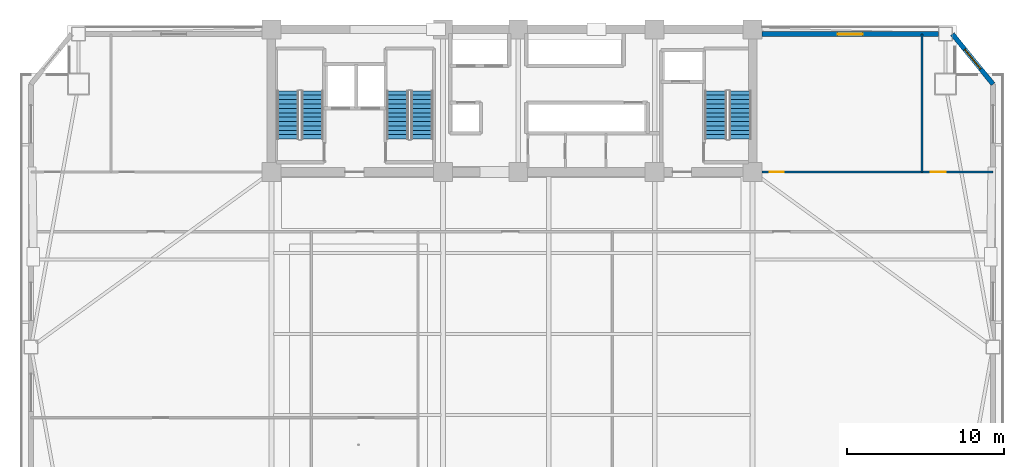
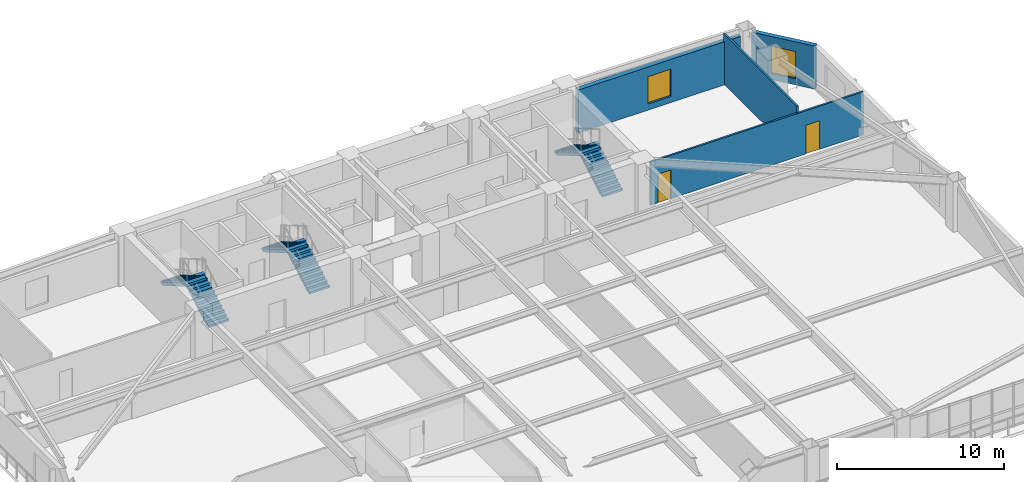
# One storey, part 10 of 15: 6 stair flights, 4 walls, 2 doors, 2 windows, 4 openings, 3 elements without a shape of their own.
"""IFC4 building model written with IfcOpenShell, lengths in metres."""

from ifc_helpers import new_model, si_unit, direction, frame, frame_2d, origin, place, context, subcontext, project, spatial, polyline, rectangle, outline, extrude, source, transform, mapped, material, layer, layer_set, type_object, element, fill, aggregate, save


model = new_model("IFC4")

# Units and contexts
model_context = context("Model", 3, precision=1e-05, world=origin(), true_north=direction((0.0, 1.0)))
body_context = subcontext(model_context, "Body", "Model", "MODEL_VIEW")
ifc_project = project(units=[si_unit("LENGTHUNIT", "METRE"), si_unit("AREAUNIT", "SQUARE_METRE"), si_unit("VOLUMEUNIT", "CUBIC_METRE"), si_unit("PLANEANGLEUNIT", "RADIAN"), si_unit("MASSUNIT", "GRAM", prefix="KILO")], contexts=[model_context])

# Site, building, storey
site_placement = place(None, origin())
site = spatial("IfcSite", under=ifc_project, at=site_placement, CompositionType="ELEMENT")
building_placement = place(site_placement, origin())
building = spatial("IfcBuilding", under=site, at=building_placement, Name="Giltprow Tower", CompositionType="ELEMENT")
storey_placement = place(building_placement, frame((0.0, 0.0, 103.60009765625)))
storey = spatial("IfcBuildingStorey", under=building, at=storey_placement, Name="L25", CompositionType="ELEMENT", Elevation=103.60009765625)

# Wall, opening, window
ifc_material_1 = material(Name="Precast concrete C40", Category="concrete")
ifc_layer_1 = layer(ifc_material_1, 0.300048828125, Name="Precast concrete C40")
ifc_layer_set_1 = layer_set([ifc_layer_1], Name="Precast concrete C40")
wall_type_1 = type_object("IfcWallType", Name="EW-NOTCH-CHAMFER-300", PredefinedType="SOLIDWALL", material=ifc_layer_set_1)
wall_1_placement = place(storey_placement, frame((65.89111328125, 43.055908203125, 0.0), z_axis=(0.0, 0.0, 1.0), x_axis=(-0.630273101398, 0.776373503962, 0.0)))
wall_1 = element("IfcWall", 1, at=wall_1_placement, inside=storey, type_object=wall_type_1, Name="L25 Corner Notch Wall NE", PredefinedType="SOLIDWALL", context=body_context, shape_type="SweptSolid", body=[
    extrude(rectangle(XDim=4.114013671875, YDim=0.300048828125, at=frame_2d((2.05712890625, 0.0))), origin(), (0.0, 0.0, 1.0), 3.159912109375),
])
opening_1_placement = place(wall_1_placement, frame((1.257080078125, 0.0, 0.449951171875)))
opening_1 = element("IfcOpeningElement", 2, at=opening_1_placement, cuts=wall_1, Name="Opening WN17", PredefinedType="OPENING", context=body_context, shape_type="SweptSolid", body=[
    extrude(rectangle(XDim=1.60009765625, YDim=2.0, at=frame_2d((0.800048828125, 1.0))), frame((0.0, 0.159912109375, 0.0), z_axis=(0.0, -1.0, 0.0), x_axis=(1.0, 0.0, 0.0)), (0.0, 0.0, 1.0), 0.320068359375),
])
ifc_material_2 = material(Name="Insulated glass", Category="glass")
window_type = type_object("IfcWindowType", Name="WN-COR-1600x2000", PartitioningType="SINGLE_PANEL", PredefinedType="WINDOW", material=ifc_material_2)
shared_shape_1 = source(origin(), body_context, "Body", "SweptSolid", [
    extrude(rectangle(XDim=1.60009765625, YDim=2.0, at=frame_2d((0.800048828125, 1.0))), frame((0.0, 0.030029296875, 0.0), z_axis=(0.0, -1.0, 0.0), x_axis=(1.0, 0.0, 0.0)), (0.0, 0.0, 1.0), 0.06005859375),
])
window_1_placement = place(opening_1_placement, origin())
window_1 = element("IfcWindow", 3, at=window_1_placement, inside=storey, type_object=window_type, Name="L25 Corner Notch Window NE", OverallHeight=2.0, OverallWidth=1.60009765625, PartitioningType="SINGLE_PANEL", PredefinedType="WINDOW", context=body_context, shape_type="MappedRepresentation", body=[
    mapped(shared_shape_1, transform((0.0, 0.0, 0.0), x_axis=(1.0, 0.0, 0.0), y_axis=(0.0, 1.0, 0.0), z_axis=(0.0, 0.0, 1.0), scale=1.0)),
])
fill(opening_1, window_1)

ifc_layer_2 = layer(ifc_material_1, 0.320068359375, Name="Precast concrete C40")
ifc_layer_set_2 = layer_set([ifc_layer_2], Name="Precast concrete C40")
wall_type_2 = type_object("IfcWallType", Name="EW-TOW-STONE-320", PredefinedType="SOLIDWALL", material=ifc_layer_set_2)
wall_2_placement = place(storey_placement, frame((51.14990234375, 46.25, 0.0), z_axis=(0.0, 0.0, 1.0), x_axis=(1.0, 0.0, 0.0)))
wall_2 = element("IfcWall", 4, at=wall_2_placement, inside=storey, type_object=wall_type_2, Name="L25 North-East Wing Wall", PredefinedType="SOLIDWALL", context=body_context, shape_type="SweptSolid", body=[
    extrude(rectangle(XDim=11.248046875, YDim=0.320068359375, at=frame_2d((5.6240234375, 0.0))), origin(), (0.0, 0.0, 1.0), 3.159912109375),
])
opening_2_placement = place(wall_2_placement, frame((4.823974609375, 0.0, 0.449951171875)))
opening_2 = element("IfcOpeningElement", 5, at=opening_2_placement, cuts=wall_2, Name="Opening WN17", PredefinedType="OPENING", context=body_context, shape_type="SweptSolid", body=[
    extrude(rectangle(XDim=1.60009765625, YDim=2.0, at=frame_2d((0.800048828125, 1.0))), frame((0.0, 0.169921875, 0.0), z_axis=(0.0, -1.0, 0.0), x_axis=(1.0, 0.0, 0.0)), (0.0, 0.0, 1.0), 0.340087890625),
])
window_2_placement = place(opening_2_placement, origin())
window_2 = element("IfcWindow", 6, at=window_2_placement, inside=storey, type_object=window_type, Name="L25 North-East Window", OverallHeight=2.0, OverallWidth=1.60009765625, PartitioningType="SINGLE_PANEL", PredefinedType="WINDOW", context=body_context, shape_type="MappedRepresentation", body=[
    mapped(shared_shape_1, transform((0.0, 0.0, 0.0), x_axis=(1.0, 0.0, 0.0), y_axis=(0.0, 1.0, 0.0), z_axis=(0.0, 0.0, 1.0), scale=1.0)),
])
fill(opening_2, window_2)

# Wall, openings, doors
ifc_material_3 = material(Name="Concrete C30", Category="concrete")
ifc_layer_3 = layer(ifc_material_3, 0.1298828125, Name="Concrete C30")
ifc_layer_set_3 = layer_set([ifc_layer_3], Name="Concrete C30")
wall_type_3 = type_object("IfcWallType", Name="IW-WET-130", PredefinedType="PARTITIONING", material=ifc_layer_set_3)
wall_3_placement = place(storey_placement, frame((51.14990234375, 37.449951171875, 0.0), z_axis=(0.0, 0.0, 1.0), x_axis=(1.0, 0.0, 0.0)))
wall_3 = element("IfcWall", 7, at=wall_3_placement, inside=storey, type_object=wall_type_3, Name="L25 NE Wing South Wall", PredefinedType="PARTITIONING", context=body_context, shape_type="SweptSolid", body=[
    extrude(rectangle(XDim=14.7412109375, YDim=0.1298828125, at=frame_2d((7.37060546875, 0.0))), origin(), (0.0, 0.0, 1.0), 3.164794921875),
])
opening_3_placement = place(wall_3_placement, frame((0.5, 0.0, 0.0)))
opening_3 = element("IfcOpeningElement", 8, at=opening_3_placement, cuts=wall_3, Name="Opening ID15", PredefinedType="OPENING", context=body_context, shape_type="SweptSolid", body=[
    extrude(rectangle(XDim=0.89990234375, YDim=2.10009765625, at=frame_2d((0.449951171875, 1.050048828125))), frame((0.0, 0.074951171875, 0.0), z_axis=(0.0, -1.0, 0.0), x_axis=(1.0, 0.0, 0.0)), (0.0, 0.0, 1.0), 0.14990234375),
])
opening_4_placement = place(wall_3_placement, frame((10.759033203125, 0.0, 0.0)))
opening_4 = element("IfcOpeningElement", 9, at=opening_4_placement, cuts=wall_3, Name="Opening ID11", PredefinedType="OPENING", context=body_context, shape_type="SweptSolid", body=[
    extrude(rectangle(XDim=0.949951171875, YDim=2.10009765625, at=frame_2d((0.47509765625, 1.050048828125))), frame((0.0, 0.074951171875, 0.0), z_axis=(0.0, -1.0, 0.0), x_axis=(1.0, 0.0, 0.0)), (0.0, 0.0, 1.0), 0.14990234375),
])
ifc_material_4 = material(Name="Engineered timber", Category="wood")
door_type_1 = type_object("IfcDoorType", Name="DR-WC-900", OperationType="SINGLE_SWING_LEFT", PredefinedType="DOOR", material=ifc_material_4)
shared_shape_2 = source(origin(), body_context, "Body", "SweptSolid", [
    extrude(rectangle(XDim=0.89990234375, YDim=2.10009765625, at=frame_2d((0.449951171875, 1.050048828125))), frame((0.0, 0.02490234375, 0.0), z_axis=(0.0, -1.0, 0.0), x_axis=(1.0, 0.0, 0.0)), (0.0, 0.0, 1.0), 0.050048828125),
])
door_1_placement = place(opening_3_placement, origin())
door_1 = element("IfcDoor", 10, at=door_1_placement, inside=storey, type_object=door_type_1, Name="L25 East Wing Washroom Door", OperationType="SINGLE_SWING_RIGHT", OverallHeight=2.10009765625, OverallWidth=0.89990234375, PredefinedType="DOOR", context=body_context, shape_type="MappedRepresentation", body=[
    mapped(shared_shape_2, transform((0.0, 0.0, 0.0), x_axis=(1.0, 0.0, 0.0), y_axis=(0.0, 1.0, 0.0), z_axis=(0.0, 0.0, 1.0), scale=1.0)),
])
fill(opening_3, door_1)
door_type_2 = type_object("IfcDoorType", Name="DR-ROOM-950", OperationType="SINGLE_SWING_RIGHT", PredefinedType="DOOR", material=ifc_material_4)
shared_shape_3 = source(origin(), body_context, "Body", "SweptSolid", [
    extrude(rectangle(XDim=0.949951171875, YDim=2.10009765625, at=frame_2d((0.47509765625, 1.050048828125))), frame((0.0, 0.02490234375, 0.0), z_axis=(0.0, -1.0, 0.0), x_axis=(1.0, 0.0, 0.0)), (0.0, 0.0, 1.0), 0.050048828125),
])
door_2_placement = place(opening_4_placement, origin())
door_2 = element("IfcDoor", 11, at=door_2_placement, inside=storey, type_object=door_type_2, Name="L25 East Tenant Archive Store Door", OperationType="SINGLE_SWING_LEFT", OverallHeight=2.10009765625, OverallWidth=0.949951171875, PredefinedType="DOOR", context=body_context, shape_type="MappedRepresentation", body=[
    mapped(shared_shape_3, transform((0.0, 0.0, 0.0), x_axis=(1.0, 0.0, 0.0), y_axis=(0.0, 1.0, 0.0), z_axis=(0.0, 0.0, 1.0), scale=1.0)),
])
fill(opening_4, door_2)

# Wall
wall_4_placement = place(storey_placement, frame((61.35888671875, 37.449951171875, 0.0), z_axis=(0.0, 0.0, 1.0), x_axis=(0.0, 1.0, 0.0)))
element("IfcWall", 12, at=wall_4_placement, inside=storey, type_object=wall_type_3, Name="L25 NE Wing Divider", PredefinedType="PARTITIONING", context=body_context, shape_type="SweptSolid", body=[
    extrude(rectangle(XDim=8.800048828125, YDim=0.1298828125, at=frame_2d((4.39990234375, 0.0))), origin(), (0.0, 0.0, 1.0), 3.679931640625),
])

# Stair, stair flights
ifc_material_5 = material(Name="Concrete C40", Category="concrete")
stair_type_1 = type_object("IfcStairType", Name="STR-ST-1", PredefinedType="HALF_TURN_STAIR", material=ifc_material_5)
stair_1_placement = place(storey_placement, origin())
stair_1 = element("IfcStair", 13, at=stair_1_placement, inside=storey, type_object=stair_type_1, Name="L25 Core Exit Stair ST-1", PredefinedType="HALF_TURN_STAIR")
stair_flight_type_1 = type_object("IfcStairFlightType", Name="SFL-ST-1", PredefinedType="STRAIGHT", material=ifc_material_5)
stair_flight_1_placement = place(storey_placement, frame((22.4599609375, 39.550048828125, 0.0), z_axis=(0.0, 0.0, 1.0), x_axis=(0.0, 1.0, 0.0)))
stair_flight_1 = element("IfcStairFlight", 14, at=stair_flight_1_placement, type_object=stair_flight_type_1, Name="ST-1 flight 1", NumberOfRisers=12, NumberOfTreads=11, PredefinedType="STRAIGHT", RiserHeight=0.1625, TreadLength=0.28, context=body_context, shape_type="SweptSolid", body=[
    extrude(outline(polyline([(0.0, 0.0), (0.0, 0.16259765625), (0.280029296875, 0.16259765625), (0.280029296875, 0.324951171875), (0.56005859375, 0.324951171875), (0.56005859375, 0.487548828125), (0.840087890625, 0.487548828125), (0.840087890625, 0.64990234375), (1.1201171875, 0.64990234375), (1.1201171875, 0.8125), (1.39990234375, 0.8125), (1.39990234375, 0.97509765625), (1.679931640625, 0.97509765625), (1.679931640625, 1.137451171875), (1.9599609375, 1.137451171875), (1.9599609375, 1.300048828125), (2.239990234375, 1.300048828125), (2.239990234375, 1.46240234375), (2.52001953125, 1.46240234375), (2.52001953125, 1.625), (2.800048828125, 1.625), (2.800048828125, 1.78759765625), (3.080078125, 1.78759765625), (3.080078125, 1.949951171875), (3.080078125, 1.6142578125), (0.298583984375, 0.0), (0.0, 0.0)])), frame((0.0, 0.699951171875, 0.0), z_axis=(0.0, -1.0, 0.0), x_axis=(1.0, 0.0, 0.0)), (0.0, 0.0, 1.0), 1.39990234375),
])
stair_flight_2_placement = place(storey_placement, frame((20.89990234375, 42.6298828125, 1.949951171875), z_axis=(0.0, 0.0, 1.0), x_axis=(0.0, -1.0, 0.0)))
stair_flight_2 = element("IfcStairFlight", 15, at=stair_flight_2_placement, type_object=stair_flight_type_1, Name="ST-1 flight 2", NumberOfRisers=12, NumberOfTreads=11, PredefinedType="STRAIGHT", RiserHeight=0.1625, TreadLength=0.28, context=body_context, shape_type="SweptSolid", body=[
    extrude(outline(polyline([(0.0, 0.0), (0.0, 0.16259765625), (0.280029296875, 0.16259765625), (0.280029296875, 0.324951171875), (0.56005859375, 0.324951171875), (0.56005859375, 0.487548828125), (0.840087890625, 0.487548828125), (0.840087890625, 0.64990234375), (1.1201171875, 0.64990234375), (1.1201171875, 0.8125), (1.39990234375, 0.8125), (1.39990234375, 0.97509765625), (1.679931640625, 0.97509765625), (1.679931640625, 1.137451171875), (1.9599609375, 1.137451171875), (1.9599609375, 1.300048828125), (2.239990234375, 1.300048828125), (2.239990234375, 1.46240234375), (2.52001953125, 1.46240234375), (2.52001953125, 1.625), (2.800048828125, 1.625), (2.800048828125, 1.78759765625), (3.080078125, 1.78759765625), (3.080078125, 1.949951171875), (3.080078125, 1.6142578125), (0.298583984375, 0.0), (0.0, 0.0)])), frame((0.0, 0.699951171875, 0.0), z_axis=(0.0, -1.0, 0.0), x_axis=(1.0, 0.0, 0.0)), (0.0, 0.0, 1.0), 1.39990234375),
])
aggregate(stair_1, [stair_flight_1, stair_flight_2])

stair_type_2 = type_object("IfcStairType", Name="STR-ST-2", PredefinedType="HALF_TURN_STAIR", material=ifc_material_5)
stair_2_placement = place(storey_placement, origin())
stair_2 = element("IfcStair", 16, at=stair_2_placement, inside=storey, type_object=stair_type_2, Name="L25 Core Exit Stair ST-2", PredefinedType="HALF_TURN_STAIR")
stair_flight_type_2 = type_object("IfcStairFlightType", Name="SFL-ST-2", PredefinedType="STRAIGHT", material=ifc_material_5)
stair_flight_3_placement = place(storey_placement, frame((29.4599609375, 39.550048828125, 0.0), z_axis=(0.0, 0.0, 1.0), x_axis=(0.0, 1.0, 0.0)))
stair_flight_3 = element("IfcStairFlight", 17, at=stair_flight_3_placement, type_object=stair_flight_type_2, Name="ST-2 flight 1", NumberOfRisers=12, NumberOfTreads=11, PredefinedType="STRAIGHT", RiserHeight=0.1625, TreadLength=0.28, context=body_context, shape_type="SweptSolid", body=[
    extrude(outline(polyline([(0.0, 0.0), (0.0, 0.16259765625), (0.280029296875, 0.16259765625), (0.280029296875, 0.324951171875), (0.56005859375, 0.324951171875), (0.56005859375, 0.487548828125), (0.840087890625, 0.487548828125), (0.840087890625, 0.64990234375), (1.1201171875, 0.64990234375), (1.1201171875, 0.8125), (1.39990234375, 0.8125), (1.39990234375, 0.97509765625), (1.679931640625, 0.97509765625), (1.679931640625, 1.137451171875), (1.9599609375, 1.137451171875), (1.9599609375, 1.300048828125), (2.239990234375, 1.300048828125), (2.239990234375, 1.46240234375), (2.52001953125, 1.46240234375), (2.52001953125, 1.625), (2.800048828125, 1.625), (2.800048828125, 1.78759765625), (3.080078125, 1.78759765625), (3.080078125, 1.949951171875), (3.080078125, 1.6142578125), (0.298583984375, 0.0), (0.0, 0.0)])), frame((0.0, 0.699951171875, 0.0), z_axis=(0.0, -1.0, 0.0), x_axis=(1.0, 0.0, 0.0)), (0.0, 0.0, 1.0), 1.39990234375),
])
stair_flight_4_placement = place(storey_placement, frame((27.89990234375, 42.6298828125, 1.949951171875), z_axis=(0.0, 0.0, 1.0), x_axis=(0.0, -1.0, 0.0)))
stair_flight_4 = element("IfcStairFlight", 18, at=stair_flight_4_placement, type_object=stair_flight_type_2, Name="ST-2 flight 2", NumberOfRisers=12, NumberOfTreads=11, PredefinedType="STRAIGHT", RiserHeight=0.1625, TreadLength=0.28, context=body_context, shape_type="SweptSolid", body=[
    extrude(outline(polyline([(0.0, 0.0), (0.0, 0.16259765625), (0.280029296875, 0.16259765625), (0.280029296875, 0.324951171875), (0.56005859375, 0.324951171875), (0.56005859375, 0.487548828125), (0.840087890625, 0.487548828125), (0.840087890625, 0.64990234375), (1.1201171875, 0.64990234375), (1.1201171875, 0.8125), (1.39990234375, 0.8125), (1.39990234375, 0.97509765625), (1.679931640625, 0.97509765625), (1.679931640625, 1.137451171875), (1.9599609375, 1.137451171875), (1.9599609375, 1.300048828125), (2.239990234375, 1.300048828125), (2.239990234375, 1.46240234375), (2.52001953125, 1.46240234375), (2.52001953125, 1.625), (2.800048828125, 1.625), (2.800048828125, 1.78759765625), (3.080078125, 1.78759765625), (3.080078125, 1.949951171875), (3.080078125, 1.6142578125), (0.298583984375, 0.0), (0.0, 0.0)])), frame((0.0, 0.699951171875, 0.0), z_axis=(0.0, -1.0, 0.0), x_axis=(1.0, 0.0, 0.0)), (0.0, 0.0, 1.0), 1.39990234375),
])
aggregate(stair_2, [stair_flight_3, stair_flight_4])

stair_type_3 = type_object("IfcStairType", Name="STR-ST-3", PredefinedType="HALF_TURN_STAIR", material=ifc_material_5)
stair_3_placement = place(storey_placement, origin())
stair_3 = element("IfcStair", 19, at=stair_3_placement, inside=storey, type_object=stair_type_3, Name="L25 Core Exit Stair ST-3", PredefinedType="HALF_TURN_STAIR")
stair_flight_type_3 = type_object("IfcStairFlightType", Name="SFL-ST-3", PredefinedType="STRAIGHT", material=ifc_material_5)
stair_flight_5_placement = place(storey_placement, frame((49.760009765625, 39.550048828125, 0.0), z_axis=(0.0, 0.0, 1.0), x_axis=(0.0, 1.0, 0.0)))
stair_flight_5 = element("IfcStairFlight", 20, at=stair_flight_5_placement, type_object=stair_flight_type_3, Name="ST-3 flight 1", NumberOfRisers=12, NumberOfTreads=11, PredefinedType="STRAIGHT", RiserHeight=0.1625, TreadLength=0.28, context=body_context, shape_type="SweptSolid", body=[
    extrude(outline(polyline([(0.0, 0.0), (0.0, 0.16259765625), (0.280029296875, 0.16259765625), (0.280029296875, 0.324951171875), (0.56005859375, 0.324951171875), (0.56005859375, 0.487548828125), (0.840087890625, 0.487548828125), (0.840087890625, 0.64990234375), (1.1201171875, 0.64990234375), (1.1201171875, 0.8125), (1.39990234375, 0.8125), (1.39990234375, 0.97509765625), (1.679931640625, 0.97509765625), (1.679931640625, 1.137451171875), (1.9599609375, 1.137451171875), (1.9599609375, 1.300048828125), (2.239990234375, 1.300048828125), (2.239990234375, 1.46240234375), (2.52001953125, 1.46240234375), (2.52001953125, 1.625), (2.800048828125, 1.625), (2.800048828125, 1.78759765625), (3.080078125, 1.78759765625), (3.080078125, 1.949951171875), (3.080078125, 1.6142578125), (0.298583984375, 0.0), (0.0, 0.0)])), frame((0.0, 0.699951171875, 0.0), z_axis=(0.0, -1.0, 0.0), x_axis=(1.0, 0.0, 0.0)), (0.0, 0.0, 1.0), 1.39990234375),
])
stair_flight_6_placement = place(storey_placement, frame((48.199951171875, 42.6298828125, 1.949951171875), z_axis=(0.0, 0.0, 1.0), x_axis=(0.0, -1.0, 0.0)))
stair_flight_6 = element("IfcStairFlight", 21, at=stair_flight_6_placement, type_object=stair_flight_type_3, Name="ST-3 flight 2", NumberOfRisers=12, NumberOfTreads=11, PredefinedType="STRAIGHT", RiserHeight=0.1625, TreadLength=0.28, context=body_context, shape_type="SweptSolid", body=[
    extrude(outline(polyline([(0.0, 0.0), (0.0, 0.16259765625), (0.280029296875, 0.16259765625), (0.280029296875, 0.324951171875), (0.56005859375, 0.324951171875), (0.56005859375, 0.487548828125), (0.840087890625, 0.487548828125), (0.840087890625, 0.64990234375), (1.1201171875, 0.64990234375), (1.1201171875, 0.8125), (1.39990234375, 0.8125), (1.39990234375, 0.97509765625), (1.679931640625, 0.97509765625), (1.679931640625, 1.137451171875), (1.9599609375, 1.137451171875), (1.9599609375, 1.300048828125), (2.239990234375, 1.300048828125), (2.239990234375, 1.46240234375), (2.52001953125, 1.46240234375), (2.52001953125, 1.625), (2.800048828125, 1.625), (2.800048828125, 1.78759765625), (3.080078125, 1.78759765625), (3.080078125, 1.949951171875), (3.080078125, 1.6142578125), (0.298583984375, 0.0), (0.0, 0.0)])), frame((0.0, 0.699951171875, 0.0), z_axis=(0.0, -1.0, 0.0), x_axis=(1.0, 0.0, 0.0)), (0.0, 0.0, 1.0), 1.39990234375),
])
aggregate(stair_3, [stair_flight_5, stair_flight_6])

save(model, "model.ifc")
